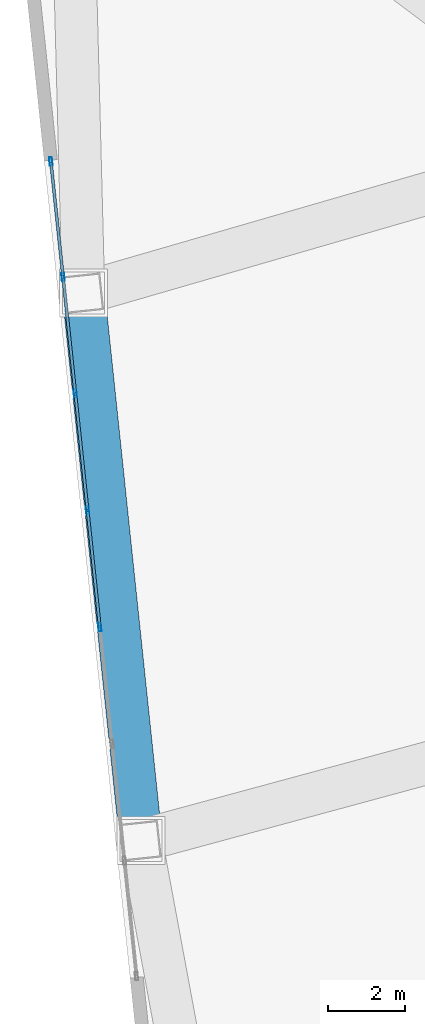
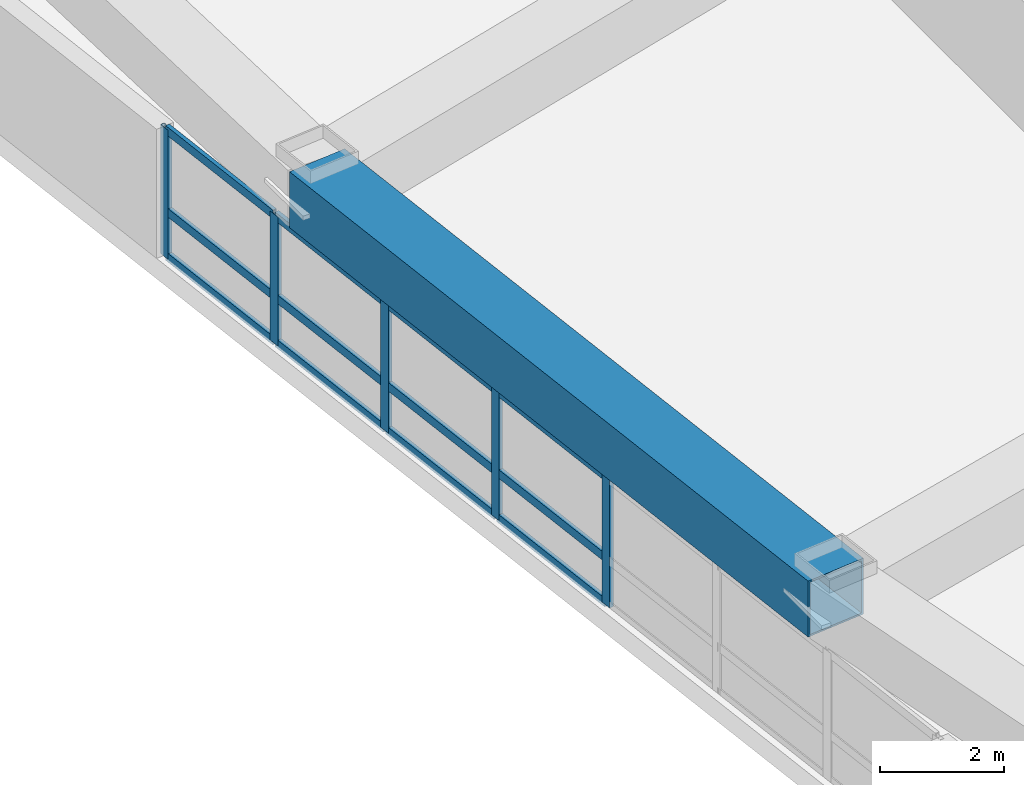
# One storey, part 4 of 15: 17 members, 1 beam, 1 element without a shape of its own.
"""IFC4 building model written with IfcOpenShell, lengths in metres."""

from ifc_helpers import new_model, si_unit, direction, frame, origin, origin_2d, place, context, subcontext, project, spatial, hollow_rectangle, extrude, material, layer, layer_set, material_profile, profile_set, type_object, element, aggregate, save


model = new_model("IFC4")

# Units and contexts
model_context = context("Model", 3, precision=1e-05, world=origin(), true_north=direction((0.0, 1.0)))
body_context = subcontext(model_context, "Body", "Model", "MODEL_VIEW")
ifc_project = project(units=[si_unit("LENGTHUNIT", "METRE"), si_unit("AREAUNIT", "SQUARE_METRE"), si_unit("VOLUMEUNIT", "CUBIC_METRE"), si_unit("PLANEANGLEUNIT", "RADIAN"), si_unit("MASSUNIT", "GRAM", prefix="KILO")], contexts=[model_context])

# Site, building, storey
site_placement = place(None, origin())
site = spatial("IfcSite", under=ifc_project, at=site_placement, CompositionType="ELEMENT")
building_placement = place(site_placement, origin())
building = spatial("IfcBuilding", under=site, at=building_placement, Name="Voryun Gate Residences", CompositionType="ELEMENT")
storey_placement = place(building_placement, frame((0.0, 0.0, 140.39990234375)))
storey = spatial("IfcBuildingStorey", under=building, at=storey_placement, Name="L34", CompositionType="ELEMENT", Elevation=140.39990234375)

# Beam
ifc_material_1 = material(Name="Steel SM420", Category="steel")
ifc_material_profile_1 = material_profile(ifc_material_1, hollow_rectangle(XDim=1.10009765625, YDim=1.10009765625, WallThickness=0.035888671875, at=origin_2d()), Name="BOX-1100x1100x36")
ifc_profile_set_1 = profile_set([ifc_material_profile_1], Name="Steel SM420")
beam_type = type_object("IfcBeamType", Name="BM_ARCH_RIB", PredefinedType="USERDEFINED", material=ifc_profile_set_1)
beam_placement = place(storey_placement, frame((-32.93359375, 3.424072265625, 3.10009765625), z_axis=(0.104540894669, -0.994520588697, 0.0), x_axis=(0.994520588697, 0.104540894669, 0.0)))
element("IfcBeam", 1, at=beam_placement, inside=storey, type_object=beam_type, Name="BM-L34-SPAND-18", ObjectType="GIRDER", PredefinedType="USERDEFINED", context=body_context, shape_type="SweptSolid", body=[
    extrude(hollow_rectangle(XDim=1.10009765625, YDim=1.10009765625, WallThickness=0.035888671875, at=origin_2d()), origin(), (0.0, 0.0, 1.0), 14.219970703125),
])

# Curtain wall, members
ifc_material_2 = material(Name="Anodised aluminium", Category="aluminium")
ifc_layer = layer(ifc_material_2, 0.2099609375, Name="CW_SYS_SKYGARDEN_DARK_GLASS")
ifc_layer_set = layer_set([ifc_layer], Name="Anodised aluminium")
curtain_wall_type = type_object("IfcCurtainWallType", Name="CW_SYS_SKYGARDEN_DARK_GLASS", PredefinedType="NOTDEFINED", material=ifc_layer_set)
curtain_wall_placement = place(storey_placement, origin())
curtain_wall = element("IfcCurtainWall", 2, at=curtain_wall_placement, inside=storey, type_object=curtain_wall_type, Name="Curtain wall CW5-L34-SG-06", PredefinedType="NOTDEFINED")
ifc_material_3 = material(Name="Anodised aluminium", Category="aluminium")
ifc_material_profile_2 = material_profile(ifc_material_3, hollow_rectangle(XDim=0.074951171875, YDim=0.2099609375, WallThickness=0.0048828125, at=origin_2d()), Name="ALU-MULL-210x75x5")
ifc_profile_set_2 = profile_set([ifc_material_profile_2], Name="Anodised aluminium")
member_type_1 = type_object("IfcMemberType", Name="CW_MULL_SKY", PredefinedType="MULLION", material=ifc_profile_set_2)
member_1_placement = place(storey_placement, frame((-32.50927734375, -5.205078125, 0.0), z_axis=(0.0, 0.0, 1.0), x_axis=(-0.994521755433, -0.104529794654, 0.0)))
member_1 = element("IfcMember", 3, at=member_1_placement, type_object=member_type_1, Name="CW5 mullion 4", PredefinedType="MULLION", context=body_context, shape_type="SweptSolid", body=[
    extrude(hollow_rectangle(XDim=0.074951171875, YDim=0.2099609375, WallThickness=0.0048828125, at=origin_2d()), origin(), (0.0, 0.0, 1.0), 2.5400390625),
])
member_2_placement = place(storey_placement, frame((-32.826171875, -2.189208984375, 0.0), z_axis=(0.0, 0.0, 1.0), x_axis=(-0.994521755433, -0.104529794654, 0.0)))
member_2 = element("IfcMember", 4, at=member_2_placement, type_object=member_type_1, Name="CW5 mullion 5", PredefinedType="MULLION", context=body_context, shape_type="SweptSolid", body=[
    extrude(hollow_rectangle(XDim=0.074951171875, YDim=0.2099609375, WallThickness=0.0048828125, at=origin_2d()), origin(), (0.0, 0.0, 1.0), 2.5400390625),
])
member_3_placement = place(storey_placement, frame((-33.14306640625, 0.826416015625, 0.0), z_axis=(0.0, 0.0, 1.0), x_axis=(-0.994521755433, -0.104529794654, 0.0)))
member_3 = element("IfcMember", 5, at=member_3_placement, type_object=member_type_1, Name="CW5 mullion 6", PredefinedType="MULLION", context=body_context, shape_type="SweptSolid", body=[
    extrude(hollow_rectangle(XDim=0.074951171875, YDim=0.2099609375, WallThickness=0.0048828125, at=origin_2d()), origin(), (0.0, 0.0, 1.0), 2.5400390625),
])
member_4_placement = place(storey_placement, frame((-33.460205078125, 3.842041015625, 0.0), z_axis=(0.0, 0.0, 1.0), x_axis=(-0.994521755433, -0.104529794654, 0.0)))
member_4 = element("IfcMember", 6, at=member_4_placement, type_object=member_type_1, Name="CW5 mullion 7", PredefinedType="MULLION", context=body_context, shape_type="SweptSolid", body=[
    extrude(hollow_rectangle(XDim=0.074951171875, YDim=0.2099609375, WallThickness=0.0048828125, at=origin_2d()), origin(), (0.0, 0.0, 1.0), 2.5400390625),
])
member_5_placement = place(storey_placement, frame((-33.77392578125, 6.828125, 0.0), z_axis=(0.0, 0.0, 1.0), x_axis=(-0.994521755433, -0.104529794654, 0.0)))
member_5 = element("IfcMember", 7, at=member_5_placement, type_object=member_type_1, Name="CW5 mullion 8", PredefinedType="MULLION", context=body_context, shape_type="SweptSolid", body=[
    extrude(hollow_rectangle(XDim=0.074951171875, YDim=0.2099609375, WallThickness=0.0048828125, at=origin_2d()), origin(), (0.0, 0.0, 1.0), 2.5400390625),
])
ifc_material_4 = material(Name="Anodised aluminium", Category="aluminium")
ifc_material_profile_3 = material_profile(ifc_material_4, hollow_rectangle(XDim=0.074951171875, YDim=0.169921875, WallThickness=0.0048828125, at=origin_2d()), Name="ALU-TRAN-170x75x5")
ifc_profile_set_3 = profile_set([ifc_material_profile_3], Name="Anodised aluminium")
member_type_2 = type_object("IfcMemberType", Name="CW_TRAN_SKY", PredefinedType="USERDEFINED", material=ifc_profile_set_3)
member_6_placement = place(storey_placement, frame((-32.512451171875, -5.17529296875, 0.030029296875), z_axis=(-0.10447954978, 0.994527035167, 0.0), x_axis=(-0.994527035167, -0.10447954978, 0.0)))
member_6 = element("IfcMember", 8, at=member_6_placement, type_object=member_type_2, Name="CW5 transom 4.1", ObjectType="TRANSOM", PredefinedType="USERDEFINED", context=body_context, shape_type="SweptSolid", body=[
    extrude(hollow_rectangle(XDim=0.074951171875, YDim=0.169921875, WallThickness=0.0048828125, at=origin_2d()), origin(), (0.0, 0.0, 1.0), 2.972412109375),
])
member_7_placement = place(storey_placement, frame((-32.512451171875, -5.17529296875, 0.91455078125), z_axis=(-0.10447954978, 0.994527035167, 0.0), x_axis=(-0.994527035167, -0.10447954978, 0.0)))
member_7 = element("IfcMember", 9, at=member_7_placement, type_object=member_type_2, Name="CW5 transom 4.2", ObjectType="TRANSOM", PredefinedType="USERDEFINED", context=body_context, shape_type="SweptSolid", body=[
    extrude(hollow_rectangle(XDim=0.074951171875, YDim=0.169921875, WallThickness=0.0048828125, at=origin_2d()), origin(), (0.0, 0.0, 1.0), 2.972412109375),
])
member_8_placement = place(storey_placement, frame((-32.512451171875, -5.17529296875, 2.510009765625), z_axis=(-0.10447954978, 0.994527035167, 0.0), x_axis=(-0.994527035167, -0.10447954978, 0.0)))
member_8 = element("IfcMember", 10, at=member_8_placement, type_object=member_type_2, Name="CW5 transom 4.3", ObjectType="TRANSOM", PredefinedType="USERDEFINED", context=body_context, shape_type="SweptSolid", body=[
    extrude(hollow_rectangle(XDim=0.074951171875, YDim=0.169921875, WallThickness=0.0048828125, at=origin_2d()), origin(), (0.0, 0.0, 1.0), 2.972412109375),
])
member_9_placement = place(storey_placement, frame((-32.829345703125, -2.159423828125, 0.030029296875), z_axis=(-0.104560790128, 0.994518497147, 0.0), x_axis=(-0.994518497147, -0.104560790128, 0.0)))
member_9 = element("IfcMember", 11, at=member_9_placement, type_object=member_type_2, Name="CW5 transom 5.1", ObjectType="TRANSOM", PredefinedType="USERDEFINED", context=body_context, shape_type="SweptSolid", body=[
    extrude(hollow_rectangle(XDim=0.074951171875, YDim=0.169921875, WallThickness=0.0048828125, at=origin_2d()), origin(), (0.0, 0.0, 1.0), 2.972412109375),
])
member_10_placement = place(storey_placement, frame((-32.829345703125, -2.159423828125, 0.91455078125), z_axis=(-0.104560790128, 0.994518497147, 0.0), x_axis=(-0.994518497147, -0.104560790128, 0.0)))
member_10 = element("IfcMember", 12, at=member_10_placement, type_object=member_type_2, Name="CW5 transom 5.2", ObjectType="TRANSOM", PredefinedType="USERDEFINED", context=body_context, shape_type="SweptSolid", body=[
    extrude(hollow_rectangle(XDim=0.074951171875, YDim=0.169921875, WallThickness=0.0048828125, at=origin_2d()), origin(), (0.0, 0.0, 1.0), 2.972412109375),
])
member_11_placement = place(storey_placement, frame((-32.829345703125, -2.159423828125, 2.510009765625), z_axis=(-0.104560790128, 0.994518497147, 0.0), x_axis=(-0.994518497147, -0.104560790128, 0.0)))
member_11 = element("IfcMember", 13, at=member_11_placement, type_object=member_type_2, Name="CW5 transom 5.3", ObjectType="TRANSOM", PredefinedType="USERDEFINED", context=body_context, shape_type="SweptSolid", body=[
    extrude(hollow_rectangle(XDim=0.074951171875, YDim=0.169921875, WallThickness=0.0048828125, at=origin_2d()), origin(), (0.0, 0.0, 1.0), 2.972412109375),
])
member_12_placement = place(storey_placement, frame((-33.146240234375, 0.856201171875, 0.030029296875), z_axis=(-0.104560790128, 0.994518497147, 0.0), x_axis=(-0.994518497147, -0.104560790128, 0.0)))
member_12 = element("IfcMember", 14, at=member_12_placement, type_object=member_type_2, Name="CW5 transom 6.1", ObjectType="TRANSOM", PredefinedType="USERDEFINED", context=body_context, shape_type="SweptSolid", body=[
    extrude(hollow_rectangle(XDim=0.074951171875, YDim=0.169921875, WallThickness=0.0048828125, at=origin_2d()), origin(), (0.0, 0.0, 1.0), 2.972412109375),
])
member_13_placement = place(storey_placement, frame((-33.146240234375, 0.856201171875, 0.91455078125), z_axis=(-0.104560790128, 0.994518497147, 0.0), x_axis=(-0.994518497147, -0.104560790128, 0.0)))
member_13 = element("IfcMember", 15, at=member_13_placement, type_object=member_type_2, Name="CW5 transom 6.2", ObjectType="TRANSOM", PredefinedType="USERDEFINED", context=body_context, shape_type="SweptSolid", body=[
    extrude(hollow_rectangle(XDim=0.074951171875, YDim=0.169921875, WallThickness=0.0048828125, at=origin_2d()), origin(), (0.0, 0.0, 1.0), 2.972412109375),
])
member_14_placement = place(storey_placement, frame((-33.146240234375, 0.856201171875, 2.510009765625), z_axis=(-0.104560790128, 0.994518497147, 0.0), x_axis=(-0.994518497147, -0.104560790128, 0.0)))
member_14 = element("IfcMember", 16, at=member_14_placement, type_object=member_type_2, Name="CW5 transom 6.3", ObjectType="TRANSOM", PredefinedType="USERDEFINED", context=body_context, shape_type="SweptSolid", body=[
    extrude(hollow_rectangle(XDim=0.074951171875, YDim=0.169921875, WallThickness=0.0048828125, at=origin_2d()), origin(), (0.0, 0.0, 1.0), 2.972412109375),
])
member_15_placement = place(storey_placement, frame((-33.46337890625, 3.8720703125, 0.030029296875), z_axis=(-0.104464502531, 0.994528615833, 0.0), x_axis=(-0.994528615833, -0.104464502531, 0.0)))
member_15 = element("IfcMember", 17, at=member_15_placement, type_object=member_type_2, Name="CW5 transom 7.1", ObjectType="TRANSOM", PredefinedType="USERDEFINED", context=body_context, shape_type="SweptSolid", body=[
    extrude(hollow_rectangle(XDim=0.074951171875, YDim=0.169921875, WallThickness=0.0048828125, at=origin_2d()), origin(), (0.0, 0.0, 1.0), 2.9423828125),
])
member_16_placement = place(storey_placement, frame((-33.46337890625, 3.8720703125, 0.91455078125), z_axis=(-0.104464502531, 0.994528615833, 0.0), x_axis=(-0.994528615833, -0.104464502531, 0.0)))
member_16 = element("IfcMember", 18, at=member_16_placement, type_object=member_type_2, Name="CW5 transom 7.2", ObjectType="TRANSOM", PredefinedType="USERDEFINED", context=body_context, shape_type="SweptSolid", body=[
    extrude(hollow_rectangle(XDim=0.074951171875, YDim=0.169921875, WallThickness=0.0048828125, at=origin_2d()), origin(), (0.0, 0.0, 1.0), 2.9423828125),
])
member_17_placement = place(storey_placement, frame((-33.46337890625, 3.8720703125, 2.510009765625), z_axis=(-0.104464502531, 0.994528615833, 0.0), x_axis=(-0.994528615833, -0.104464502531, 0.0)))
member_17 = element("IfcMember", 19, at=member_17_placement, type_object=member_type_2, Name="CW5 transom 7.3", ObjectType="TRANSOM", PredefinedType="USERDEFINED", context=body_context, shape_type="SweptSolid", body=[
    extrude(hollow_rectangle(XDim=0.074951171875, YDim=0.169921875, WallThickness=0.0048828125, at=origin_2d()), origin(), (0.0, 0.0, 1.0), 2.9423828125),
])
aggregate(curtain_wall, [member_1, member_2, member_3, member_4, member_5, member_6, member_7, member_8, member_9, member_10, member_11, member_12, member_13, member_14, member_15, member_16, member_17])

save(model, "model.ifc")
